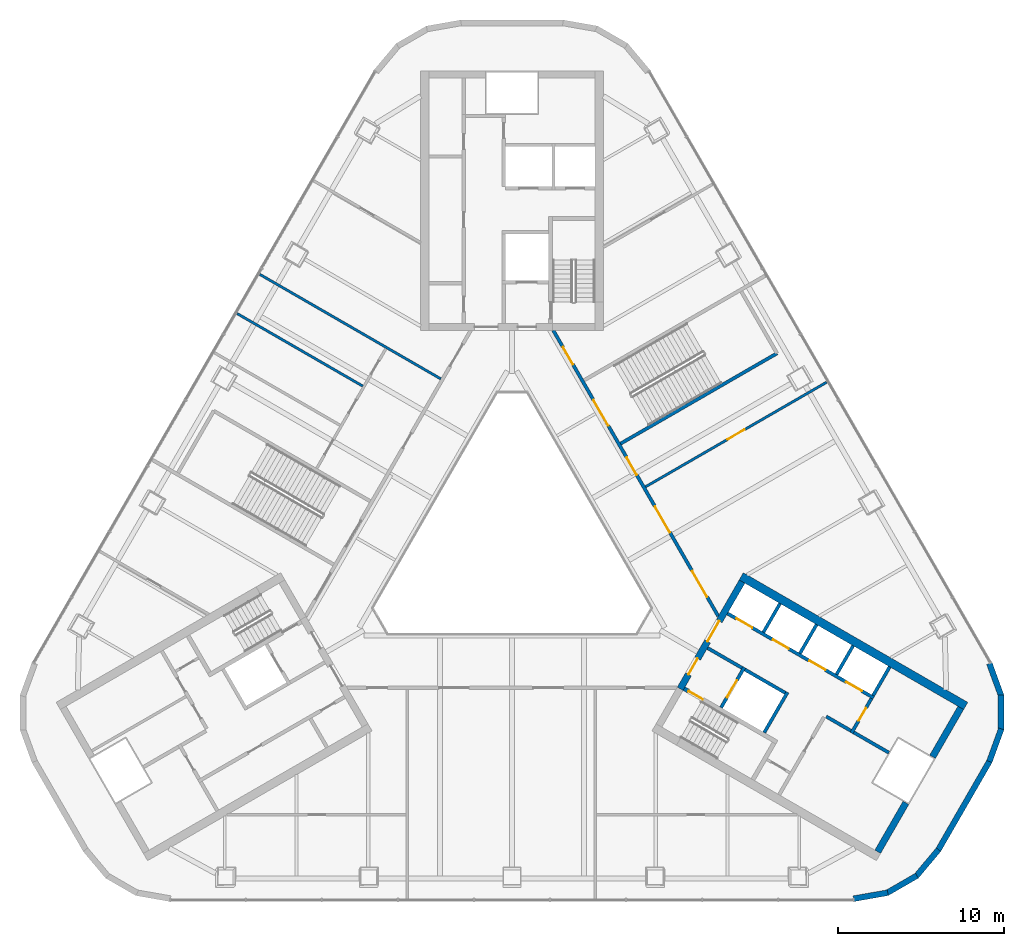
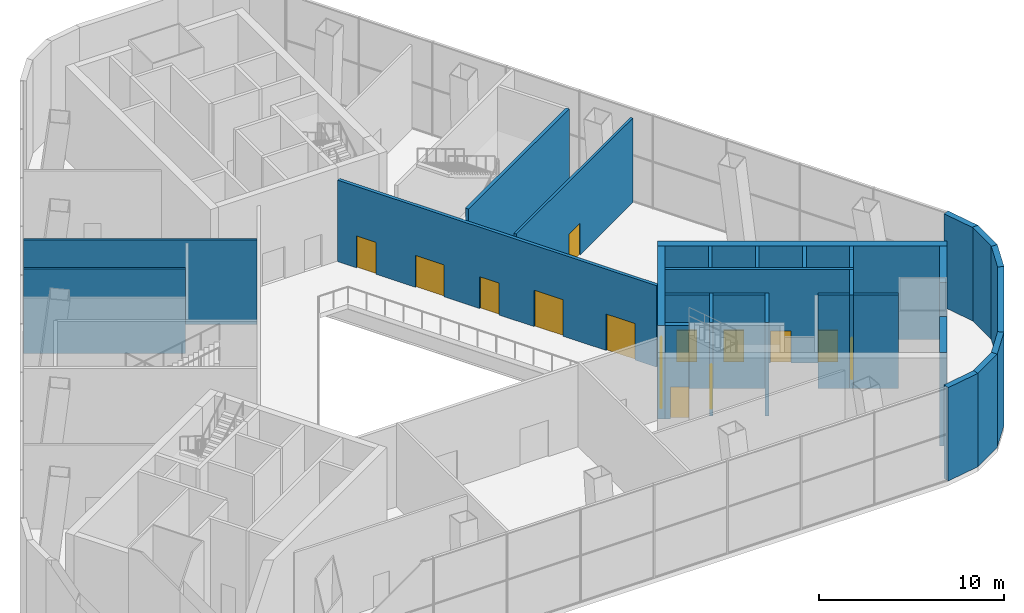
# One storey, part 12 of 17: 29 walls, 15 doors, 15 openings.
"""IFC4 building model written with IfcOpenShell, lengths in metres."""

from ifc_helpers import new_model, si_unit, direction, frame, frame_2d, origin, place, context, subcontext, project, spatial, rectangle, extrude, material, layer, layer_set, type_object, element, fill, save


model = new_model("IFC4")

# Units and contexts
model_context = context("Model", 3, precision=1e-05, world=origin(), true_north=direction((0.0, 1.0)))
body_context = subcontext(model_context, "Body", "Model", "MODEL_VIEW")
ifc_project = project(units=[si_unit("LENGTHUNIT", "METRE"), si_unit("AREAUNIT", "SQUARE_METRE"), si_unit("VOLUMEUNIT", "CUBIC_METRE"), si_unit("PLANEANGLEUNIT", "RADIAN"), si_unit("MASSUNIT", "GRAM", prefix="KILO")], contexts=[model_context])

# Site, building, storey
site_placement = place(None, origin())
site = spatial("IfcSite", under=ifc_project, at=site_placement, CompositionType="ELEMENT")
building_placement = place(site_placement, origin())
building = spatial("IfcBuilding", under=site, at=building_placement, Name="Apuvela Tower Hotel", CompositionType="ELEMENT")
storey_placement = place(building_placement, frame((0.0, 0.0, 9.0)))
storey = spatial("IfcBuildingStorey", under=building, at=storey_placement, Name="L01", CompositionType="ELEMENT", Elevation=9.0)

# Walls
ifc_material_1 = material(Name="Concrete C50/60", Category="concrete")
ifc_layer_1 = layer(ifc_material_1, 0.39990234375)
ifc_layer_set_1 = layer_set([ifc_layer_1], Name="COR-WALL-CORE-400")
wall_type_1 = type_object("IfcWallType", Name="COR-WALL-CORE-400", PredefinedType="SHEAR", material=ifc_layer_set_1)
wall_1_placement = place(storey_placement, frame((25.30859375, -12.764404296875, 0.0), z_axis=(0.0, 0.0, 1.0), x_axis=(0.499977295307, 0.866038511948, 0.0)))
element("IfcWall", 1, at=wall_1_placement, inside=storey, type_object=wall_type_1, Name="Core wall SE", PredefinedType="SHEAR", context=body_context, shape_type="SweptSolid", body=[
    extrude(rectangle(XDim=3.400146484375, YDim=0.39990234375, at=frame_2d((1.7001953125, 0.0))), origin(), (0.0, 0.0, 1.0), 6.14990234375),
])
wall_2_placement = place(storey_placement, frame((22.008544921875, -18.47998046875, 0.0), z_axis=(0.0, 0.0, 1.0), x_axis=(0.500008388397, 0.866020560687, 0.0)))
element("IfcWall", 2, at=wall_2_placement, inside=storey, type_object=wall_type_1, Name="Core wall SE", PredefinedType="SHEAR", context=body_context, shape_type="SweptSolid", body=[
    extrude(rectangle(XDim=3.39990234375, YDim=0.39990234375, at=frame_2d((1.699951171875, 0.0))), origin(), (0.0, 0.0, 1.0), 6.14990234375),
])

# Wall, openings, doors
wall_3_placement = place(storey_placement, frame((10.119873046875, -8.671875, 0.0), z_axis=(0.0, 0.0, 1.0), x_axis=(0.500008956979, 0.866020232408, 0.0)))
wall_3 = element("IfcWall", 3, at=wall_3_placement, inside=storey, type_object=wall_type_1, Name="Core wall SE", PredefinedType="SHEAR", context=body_context, shape_type="SweptSolid", body=[
    extrude(rectangle(XDim=7.449951171875, YDim=0.39990234375, at=frame_2d((3.72509765625, 0.0))), origin(), (0.0, 0.0, 1.0), 6.14990234375),
])
opening_1_placement = place(wall_3_placement, frame((1.0, 0.0, 0.0)))
opening_1 = element("IfcOpeningElement", 4, at=opening_1_placement, cuts=wall_3, Name="Opening E-FD", PredefinedType="OPENING", context=body_context, shape_type="SweptSolid", body=[
    extrude(rectangle(XDim=1.10009765625, YDim=2.10009765625, at=frame_2d((0.550048828125, 1.050048828125))), frame((0.0, 0.2099609375, 0.0), z_axis=(0.0, -1.0, 0.0), x_axis=(1.0, 0.0, 0.0)), (0.0, 0.0, 1.0), 0.419921875),
])
opening_2_placement = place(wall_3_placement, frame((3.300048828125, 0.0, 0.0)))
opening_2 = element("IfcOpeningElement", 5, at=opening_2_placement, cuts=wall_3, Name="Opening E-GD", PredefinedType="OPENING", context=body_context, shape_type="SweptSolid", body=[
    extrude(rectangle(XDim=1.39990234375, YDim=2.10009765625, at=frame_2d((0.699951171875, 1.050048828125))), frame((0.0, 0.2099609375, 0.0), z_axis=(0.0, -1.0, 0.0), x_axis=(1.0, 0.0, 0.0)), (0.0, 0.0, 1.0), 0.419921875),
])
ifc_material_2 = material(Name="Steel fire door, powder coated", Category="steel")
door_type_1 = type_object("IfcDoorType", Name="COR-FD-1100", OperationType="NOTDEFINED", PredefinedType="DOOR", material=ifc_material_2)
door_1_placement = place(opening_1_placement, frame((1.10009765625, 0.0, 0.0), z_axis=(0.0, 0.0, 1.0), x_axis=(-1.0, 0.0, 0.0)))
door_1 = element("IfcDoor", 6, at=door_1_placement, inside=storey, type_object=door_type_1, Name="Firefighting lobby door E-FD", OperationType="SINGLE_SWING_LEFT", OverallHeight=2.10009765625, OverallWidth=1.10009765625, PredefinedType="DOOR", context=body_context, shape_type="SweptSolid", body=[
    extrude(rectangle(XDim=1.10009765625, YDim=2.10009765625, at=frame_2d((0.550048828125, 1.050048828125))), frame((0.0, 0.02490234375, 0.0), z_axis=(0.0, -1.0, 0.0), x_axis=(1.0, 0.0, 0.0)), (0.0, 0.0, 1.0), 0.050048828125),
])
fill(opening_1, door_1)
ifc_material_3 = material(Name="Glazed steel fire door", Category="steel")
door_type_2 = type_object("IfcDoorType", Name="COR-GD-1400", OperationType="DOUBLE_DOOR_SINGLE_SWING", PredefinedType="DOOR", material=ifc_material_3)
door_2_placement = place(opening_2_placement, frame((1.39990234375, 0.0, 0.0), z_axis=(0.0, 0.0, 1.0), x_axis=(-1.0, 0.0, 0.0)))
door_2 = element("IfcDoor", 7, at=door_2_placement, inside=storey, type_object=door_type_2, Name="Lift lobby door E-GD", OperationType="DOUBLE_DOOR_SINGLE_SWING", OverallHeight=2.10009765625, OverallWidth=1.39990234375, PredefinedType="DOOR", context=body_context, shape_type="SweptSolid", body=[
    extrude(rectangle(XDim=1.39990234375, YDim=2.10009765625, at=frame_2d((0.699951171875, 1.050048828125))), frame((0.0, 0.02490234375, 0.0), z_axis=(0.0, -1.0, 0.0), x_axis=(1.0, 0.0, 0.0)), (0.0, 0.0, 1.0), 0.050048828125),
])
fill(opening_2, door_2)

# Walls
ifc_layer_2 = layer(ifc_material_1, 0.5)
ifc_layer_set_2 = layer_set([ifc_layer_2], Name="COR-WALL-CORE-500")
wall_type_2 = type_object("IfcWallType", Name="COR-WALL-CORE-500", PredefinedType="SHEAR", material=ifc_layer_set_2)
wall_4_placement = place(storey_placement, frame((13.796630859375, -1.9033203125, 0.0), z_axis=(0.0, 0.0, 1.0), x_axis=(0.866024264262, -0.500001973705, 0.0)))
element("IfcWall", 8, at=wall_4_placement, inside=storey, type_object=wall_type_2, Name="Core wall SE", PredefinedType="SHEAR", context=body_context, shape_type="SweptSolid", body=[
    extrude(rectangle(XDim=15.60009765625, YDim=0.5, at=frame_2d((7.800048828125, 0.0))), origin(), (0.0, 0.0, 1.0), 6.14990234375),
])
ifc_layer_3 = layer(ifc_material_1, 0.199951171875)
ifc_layer_set_3 = layer_set([ifc_layer_3], Name="COR-WALL-SHAFT-200")
wall_type_3 = type_object("IfcWallType", Name="COR-WALL-SHAFT-200", PredefinedType="SHEAR", material=ifc_layer_set_3)
wall_5_placement = place(storey_placement, frame((15.181396484375, -11.305419921875, 0.0), z_axis=(0.0, 0.0, 1.0), x_axis=(0.49994636267, 0.866056369097, 0.0)))
element("IfcWall", 9, at=wall_5_placement, inside=storey, type_object=wall_type_3, Name="Shaft wall SE", PredefinedType="SHEAR", context=body_context, shape_type="SweptSolid", body=[
    extrude(rectangle(XDim=2.800048828125, YDim=0.199951171875, at=frame_2d((1.39990234375, 0.0))), origin(), (0.0, 0.0, 1.0), 6.14990234375),
])

# Wall, opening, door
wall_6_placement = place(storey_placement, frame((12.583251953125, -9.805419921875, 0.0), z_axis=(0.0, 0.0, 1.0), x_axis=(0.49994636267, 0.866056369097, 0.0)))
wall_6 = element("IfcWall", 10, at=wall_6_placement, inside=storey, type_object=wall_type_3, Name="Shaft wall SE", PredefinedType="SHEAR", context=body_context, shape_type="SweptSolid", body=[
    extrude(rectangle(XDim=2.800048828125, YDim=0.199951171875, at=frame_2d((1.39990234375, 0.0))), origin(), (0.0, 0.0, 1.0), 6.14990234375),
])
opening_3_placement = place(wall_6_placement, frame((0.699951171875, 0.0, 0.0)))
opening_3 = element("IfcOpeningElement", 11, at=opening_3_placement, cuts=wall_6, Name="Opening E-LD-FS3", PredefinedType="OPENING", context=body_context, shape_type="SweptSolid", body=[
    extrude(rectangle(XDim=1.199951171875, YDim=2.10009765625, at=frame_2d((0.60009765625, 1.050048828125))), frame((0.0, 0.10986328125, 0.0), z_axis=(0.0, -1.0, 0.0), x_axis=(1.0, 0.0, 0.0)), (0.0, 0.0, 1.0), 0.219970703125),
])
ifc_material_4 = material(Name="Stainless steel lift landing door", Category="steel")
door_type_3 = type_object("IfcDoorType", Name="COR-LD-1200", OperationType="DOUBLE_DOOR_SLIDING", PredefinedType="DOOR", material=ifc_material_4)
door_3_placement = place(opening_3_placement, origin())
door_3 = element("IfcDoor", 12, at=door_3_placement, inside=storey, type_object=door_type_3, Name="Lift landing door E-LD-FS3", OperationType="DOUBLE_DOOR_SLIDING", OverallHeight=2.10009765625, OverallWidth=1.199951171875, PredefinedType="DOOR", context=body_context, shape_type="SweptSolid", body=[
    extrude(rectangle(XDim=1.199951171875, YDim=2.10009765625, at=frame_2d((0.60009765625, 1.050048828125))), frame((0.0, 0.02490234375, 0.0), z_axis=(0.0, -1.0, 0.0), x_axis=(1.0, 0.0, 0.0)), (0.0, 0.0, 1.0), 0.050048828125),
])
fill(opening_3, door_3)

# Walls
wall_7_placement = place(storey_placement, frame((11.76806640625, -6.217041015625, 0.0), z_axis=(0.0, 0.0, 1.0), x_axis=(0.866050077142, -0.499957262057, 0.0)))
element("IfcWall", 13, at=wall_7_placement, inside=storey, type_object=wall_type_3, Name="Shaft wall SE", PredefinedType="SHEAR", context=body_context, shape_type="SweptSolid", body=[
    extrude(rectangle(XDim=2.400146484375, YDim=0.199951171875, at=frame_2d((1.2001953125, 0.0))), origin(), (0.0, 0.0, 1.0), 6.14990234375),
])
wall_8_placement = place(storey_placement, frame((14.019775390625, -7.51708984375, 0.0), z_axis=(0.0, 0.0, 1.0), x_axis=(0.866034573852, -0.49998411664, 0.0)))
element("IfcWall", 14, at=wall_8_placement, inside=storey, type_object=wall_type_3, Name="Shaft wall SE", PredefinedType="SHEAR", context=body_context, shape_type="SweptSolid", body=[
    extrude(rectangle(XDim=2.7998046875, YDim=0.199951171875, at=frame_2d((1.39990234375, 0.0))), origin(), (0.0, 0.0, 1.0), 6.14990234375),
])

# Wall, openings, doors
wall_9_placement = place(storey_placement, frame((12.968017578125, -4.138427734375, 0.0), z_axis=(0.0, 0.0, 1.0), x_axis=(0.866028328073, -0.49999493495, 0.0)))
wall_9 = element("IfcWall", 15, at=wall_9_placement, inside=storey, type_object=wall_type_3, Name="Shaft wall SE", PredefinedType="SHEAR", context=body_context, shape_type="SweptSolid", body=[
    extrude(rectangle(XDim=10.16015625, YDim=0.199951171875, at=frame_2d((5.080078125, 0.0))), origin(), (0.0, 0.0, 1.0), 6.14990234375),
])
opening_4_placement = place(wall_9_placement, frame((0.6201171875, 0.0, 0.0)))
opening_4 = element("IfcOpeningElement", 16, at=opening_4_placement, cuts=wall_9, Name="Opening E-LD-LR1", PredefinedType="OPENING", context=body_context, shape_type="SweptSolid", body=[
    extrude(rectangle(XDim=1.10009765625, YDim=2.10009765625, at=frame_2d((0.550048828125, 1.050048828125))), frame((0.0, 0.10986328125, 0.0), z_axis=(0.0, -1.0, 0.0), x_axis=(1.0, 0.0, 0.0)), (0.0, 0.0, 1.0), 0.219970703125),
])
opening_5_placement = place(wall_9_placement, frame((3.159912109375, 0.0, 0.0)))
opening_5 = element("IfcOpeningElement", 17, at=opening_5_placement, cuts=wall_9, Name="Opening E-LD-LR2", PredefinedType="OPENING", context=body_context, shape_type="SweptSolid", body=[
    extrude(rectangle(XDim=1.10009765625, YDim=2.10009765625, at=frame_2d((0.550048828125, 1.050048828125))), frame((0.0, 0.10986328125, 0.0), z_axis=(0.0, -1.0, 0.0), x_axis=(1.0, 0.0, 0.0)), (0.0, 0.0, 1.0), 0.219970703125),
])
opening_6_placement = place(wall_9_placement, frame((5.699951171875, 0.0, 0.0)))
opening_6 = element("IfcOpeningElement", 18, at=opening_6_placement, cuts=wall_9, Name="Opening E-LD-LR3", PredefinedType="OPENING", context=body_context, shape_type="SweptSolid", body=[
    extrude(rectangle(XDim=1.10009765625, YDim=2.10009765625, at=frame_2d((0.550048828125, 1.050048828125))), frame((0.0, 0.10986328125, 0.0), z_axis=(0.0, -1.0, 0.0), x_axis=(1.0, 0.0, 0.0)), (0.0, 0.0, 1.0), 0.219970703125),
])
opening_7_placement = place(wall_9_placement, frame((8.239990234375, 0.0, 0.0)))
opening_7 = element("IfcOpeningElement", 19, at=opening_7_placement, cuts=wall_9, Name="Opening E-LD-LR4", PredefinedType="OPENING", context=body_context, shape_type="SweptSolid", body=[
    extrude(rectangle(XDim=1.10009765625, YDim=2.10009765625, at=frame_2d((0.550048828125, 1.050048828125))), frame((0.0, 0.10986328125, 0.0), z_axis=(0.0, -1.0, 0.0), x_axis=(1.0, 0.0, 0.0)), (0.0, 0.0, 1.0), 0.219970703125),
])
door_type_4 = type_object("IfcDoorType", Name="COR-LD-1100", OperationType="DOUBLE_DOOR_SLIDING", PredefinedType="DOOR", material=ifc_material_4)
door_4_placement = place(opening_4_placement, origin())
door_4 = element("IfcDoor", 20, at=door_4_placement, inside=storey, type_object=door_type_4, Name="Lift landing door E-LD-LR1", OperationType="DOUBLE_DOOR_SLIDING", OverallHeight=2.10009765625, OverallWidth=1.10009765625, PredefinedType="DOOR", context=body_context, shape_type="SweptSolid", body=[
    extrude(rectangle(XDim=1.10009765625, YDim=2.10009765625, at=frame_2d((0.550048828125, 1.050048828125))), frame((0.0, 0.02490234375, 0.0), z_axis=(0.0, -1.0, 0.0), x_axis=(1.0, 0.0, 0.0)), (0.0, 0.0, 1.0), 0.050048828125),
])
fill(opening_4, door_4)
door_5_placement = place(opening_5_placement, origin())
door_5 = element("IfcDoor", 21, at=door_5_placement, inside=storey, type_object=door_type_4, Name="Lift landing door E-LD-LR2", OperationType="DOUBLE_DOOR_SLIDING", OverallHeight=2.10009765625, OverallWidth=1.10009765625, PredefinedType="DOOR", context=body_context, shape_type="SweptSolid", body=[
    extrude(rectangle(XDim=1.10009765625, YDim=2.10009765625, at=frame_2d((0.550048828125, 1.050048828125))), frame((0.0, 0.02490234375, 0.0), z_axis=(0.0, -1.0, 0.0), x_axis=(1.0, 0.0, 0.0)), (0.0, 0.0, 1.0), 0.050048828125),
])
fill(opening_5, door_5)
door_6_placement = place(opening_6_placement, origin())
door_6 = element("IfcDoor", 22, at=door_6_placement, inside=storey, type_object=door_type_4, Name="Lift landing door E-LD-LR3", OperationType="DOUBLE_DOOR_SLIDING", OverallHeight=2.10009765625, OverallWidth=1.10009765625, PredefinedType="DOOR", context=body_context, shape_type="SweptSolid", body=[
    extrude(rectangle(XDim=1.10009765625, YDim=2.10009765625, at=frame_2d((0.550048828125, 1.050048828125))), frame((0.0, 0.02490234375, 0.0), z_axis=(0.0, -1.0, 0.0), x_axis=(1.0, 0.0, 0.0)), (0.0, 0.0, 1.0), 0.050048828125),
])
fill(opening_6, door_6)
door_7_placement = place(opening_7_placement, origin())
door_7 = element("IfcDoor", 23, at=door_7_placement, inside=storey, type_object=door_type_4, Name="Lift landing door E-LD-LR4", OperationType="DOUBLE_DOOR_SLIDING", OverallHeight=2.10009765625, OverallWidth=1.10009765625, PredefinedType="DOOR", context=body_context, shape_type="SweptSolid", body=[
    extrude(rectangle(XDim=1.10009765625, YDim=2.10009765625, at=frame_2d((0.550048828125, 1.050048828125))), frame((0.0, 0.02490234375, 0.0), z_axis=(0.0, -1.0, 0.0), x_axis=(1.0, 0.0, 0.0)), (0.0, 0.0, 1.0), 0.050048828125),
])
fill(opening_7, door_7)

# Wall, opening, door
wall_10_placement = place(storey_placement, frame((20.430419921875, -11.33349609375, 0.0), z_axis=(0.0, 0.0, 1.0), x_axis=(0.500001309137, 0.866024647952, 0.0)))
wall_10 = element("IfcWall", 24, at=wall_10_placement, inside=storey, type_object=wall_type_3, Name="Shaft wall SE", PredefinedType="SHEAR", context=body_context, shape_type="SweptSolid", body=[
    extrude(rectangle(XDim=2.39990234375, YDim=0.199951171875, at=frame_2d((1.199951171875, 0.0))), origin(), (0.0, 0.0, 1.0), 6.14990234375),
])
opening_8_placement = place(wall_10_placement, frame((0.85009765625, 0.0, 0.0)))
opening_8 = element("IfcOpeningElement", 25, at=opening_8_placement, cuts=wall_10, Name="Opening E-REP", PredefinedType="OPENING", context=body_context, shape_type="SweptSolid", body=[
    extrude(rectangle(XDim=0.89990234375, YDim=2.10009765625, at=frame_2d((0.449951171875, 1.050048828125))), frame((0.0, 0.10986328125, 0.0), z_axis=(0.0, -1.0, 0.0), x_axis=(1.0, 0.0, 0.0)), (0.0, 0.0, 1.0), 0.219970703125),
])
door_type_5 = type_object("IfcDoorType", Name="COR-DR-900", OperationType="NOTDEFINED", PredefinedType="DOOR", material=ifc_material_2)
door_8_placement = place(opening_8_placement, frame((0.89990234375, 0.0, 0.0), z_axis=(0.0, 0.0, 1.0), x_axis=(-1.0, 0.0, 0.0)))
door_8 = element("IfcDoor", 26, at=door_8_placement, inside=storey, type_object=door_type_5, Name="Store door E-REP", OperationType="SINGLE_SWING_RIGHT", OverallHeight=2.10009765625, OverallWidth=0.89990234375, PredefinedType="DOOR", context=body_context, shape_type="SweptSolid", body=[
    extrude(rectangle(XDim=0.89990234375, YDim=2.10009765625, at=frame_2d((0.449951171875, 1.050048828125))), frame((0.0, 0.02490234375, 0.0), z_axis=(0.0, -1.0, 0.0), x_axis=(1.0, 0.0, 0.0)), (0.0, 0.0, 1.0), 0.050048828125),
])
fill(opening_8, door_8)

# Walls
wall_11_placement = place(storey_placement, frame((18.912841796875, -10.342041015625, 0.0), z_axis=(0.0, 0.0, 1.0), x_axis=(0.866038183914, -0.499977863513, 0.0)))
element("IfcWall", 27, at=wall_11_placement, inside=storey, type_object=wall_type_3, Name="Shaft wall SE", PredefinedType="SHEAR", context=body_context, shape_type="SweptSolid", body=[
    extrude(rectangle(XDim=1.7099609375, YDim=0.199951171875, at=frame_2d((0.85498046875, 0.0))), origin(), (0.0, 0.0, 1.0), 6.14990234375),
])
for number, where, z_axis, x_axis, name in (
    (28, (15.131103515625, -5.27197265625, 0.0), (0.0, 0.0, 1.0), (0.499972520799, 0.866041268327, 0.0), "Shaft wall SE"),
    (29, (17.330810546875, -6.5419921875, 0.0), (0.0, 0.0, 1.0), (0.499972520799, 0.866041268327, 0.0), "Shaft wall SE"),
    (30, (19.530517578125, -7.81201171875, 0.0), (0.0, 0.0, 1.0), (0.499972520799, 0.866041268327, 0.0), "Shaft wall SE"),
    (31, (21.73046875, -9.081787109375, 0.0), (0.0, 0.0, 1.0), (0.50002537861, 0.866010750942, 0.0), "Shaft wall SE"),
):
    element("IfcWall", number, at=place(storey_placement, frame(where, z_axis=z_axis, x_axis=x_axis)), inside=storey, type_object=wall_type_3, Name=name, PredefinedType="SHEAR", context=body_context, shape_type="SweptSolid", body=[
        extrude(rectangle(XDim=2.0, YDim=0.199951171875, at=frame_2d((1.0, 0.0))), origin(), (0.0, 0.0, 1.0), 6.14990234375),
    ])
wall_12_placement = place(storey_placement, frame((20.56689453125, -11.297119140625, 0.0), z_axis=(0.0, 0.0, 1.0), x_axis=(0.866048967903, -0.499959183527, 0.0)))
element("IfcWall", 32, at=wall_12_placement, inside=storey, type_object=wall_type_3, Name="Shaft wall SE", PredefinedType="SHEAR", context=body_context, shape_type="SweptSolid", body=[
    extrude(rectangle(XDim=2.440185546875, YDim=0.199951171875, at=frame_2d((1.22021484375, 0.0))), origin(), (0.0, 0.0, 1.0), 6.14990234375),
])

# Wall, opening, door
ifc_layer_4 = layer(ifc_material_1, 0.25)
ifc_layer_set_4 = layer_set([ifc_layer_4], Name="COR-WALL-STAIR-250")
wall_type_4 = type_object("IfcWallType", Name="COR-WALL-STAIR-250", PredefinedType="SHEAR", material=ifc_layer_set_4)
wall_13_placement = place(storey_placement, frame((10.355712890625, -8.66357421875, 0.0), z_axis=(0.0, 0.0, 1.0), x_axis=(0.866095317631, -0.499878886109, 0.0)))
wall_13 = element("IfcWall", 33, at=wall_13_placement, inside=storey, type_object=wall_type_4, Name="Stair wall SE", PredefinedType="SHEAR", context=body_context, shape_type="SweptSolid", body=[
    extrude(rectangle(XDim=1.305908203125, YDim=0.25, at=frame_2d((0.65283203125, 0.0))), origin(), (0.0, 0.0, 1.0), 6.14990234375),
])
opening_9_placement = place(wall_13_placement, frame((0.300048828125, 0.0, 0.0)))
opening_9 = element("IfcOpeningElement", 34, at=opening_9_placement, cuts=wall_13, Name="Opening E-SD", PredefinedType="OPENING", context=body_context, shape_type="SweptSolid", body=[
    extrude(rectangle(XDim=1.0, YDim=2.10009765625, at=frame_2d((0.5, 1.050048828125))), frame((0.0, 0.135009765625, 0.0), z_axis=(0.0, -1.0, 0.0), x_axis=(1.0, 0.0, 0.0)), (0.0, 0.0, 1.0), 0.27001953125),
])
door_type_6 = type_object("IfcDoorType", Name="COR-SD-1000", OperationType="NOTDEFINED", PredefinedType="DOOR", material=ifc_material_2)
door_9_placement = place(opening_9_placement, frame((1.0, 0.0, 0.0), z_axis=(0.0, 0.0, 1.0), x_axis=(-1.0, 0.0, 0.0)))
door_9 = element("IfcDoor", 35, at=door_9_placement, inside=storey, type_object=door_type_6, Name="Stair door E-SD", OperationType="SINGLE_SWING_LEFT", OverallHeight=2.10009765625, OverallWidth=1.0, PredefinedType="DOOR", context=body_context, shape_type="SweptSolid", body=[
    extrude(rectangle(XDim=1.0, YDim=2.10009765625, at=frame_2d((0.5, 1.050048828125))), frame((0.0, 0.02490234375, 0.0), z_axis=(0.0, -1.0, 0.0), x_axis=(1.0, 0.0, 0.0)), (0.0, 0.0, 1.0), 0.050048828125),
])
fill(opening_9, door_9)

# Walls
ifc_material_5 = material(Name="Concrete C40/50, dark pigmented precast panel", Category="concrete")
ifc_layer_5 = layer(ifc_material_5, 0.35009765625)
ifc_layer_set_5 = layer_set([ifc_layer_5], Name="ENV-WALL-350")
wall_type_5 = type_object("IfcWallType", Name="ENV-WALL-350", PredefinedType="SOLIDWALL", material=ifc_layer_set_5)
wall_14_placement = place(storey_placement, frame((20.55712890625, -21.305908203125, 0.0), z_axis=(0.0, 0.0, 1.0), x_axis=(0.984816471064, 0.173598727877, 0.0)))
element("IfcWall", 36, at=wall_14_placement, inside=storey, type_object=wall_type_5, Name="External wall L01-16", PredefinedType="SOLIDWALL", context=body_context, shape_type="SweptSolid", body=[
    extrude(rectangle(XDim=2.08984375, YDim=0.35009765625, at=frame_2d((1.044921875, 0.0))), origin(), (0.0, 0.0, 1.0), 6.14990234375),
])
wall_15_placement = place(storey_placement, frame((22.55810546875, -20.9638671875, 0.0), z_axis=(0.0, 0.0, 1.0), x_axis=(0.866049423672, 0.499958394027, 0.0)))
element("IfcWall", 37, at=wall_15_placement, inside=storey, type_object=wall_type_5, Name="External wall L01-17", PredefinedType="SOLIDWALL", context=body_context, shape_type="SweptSolid", body=[
    extrude(rectangle(XDim=2.090087890625, YDim=0.35009765625, at=frame_2d((1.044921875, 0.0))), origin(), (0.0, 0.0, 1.0), 6.14990234375),
])
wall_16_placement = place(storey_placement, frame((24.32177734375, -19.9580078125, 0.0), z_axis=(0.0, 0.0, 1.0), x_axis=(0.642731712352, 0.766091343076, 0.0)))
element("IfcWall", 38, at=wall_16_placement, inside=storey, type_object=wall_type_5, Name="External wall L01-18", PredefinedType="SOLIDWALL", context=body_context, shape_type="SweptSolid", body=[
    extrude(rectangle(XDim=2.08984375, YDim=0.35009765625, at=frame_2d((1.044921875, 0.0))), origin(), (0.0, 0.0, 1.0), 6.14990234375),
])
wall_17_placement = place(storey_placement, frame((25.647705078125, -18.3818359375, 0.0), z_axis=(0.0, 0.0, 1.0), x_axis=(0.499981900942, 0.866035853028, 0.0)))
element("IfcWall", 39, at=wall_17_placement, inside=storey, type_object=wall_type_5, Name="External wall L01-19", PredefinedType="SOLIDWALL", context=body_context, shape_type="SweptSolid", body=[
    extrude(rectangle(XDim=6.190673828125, YDim=0.35009765625, at=frame_2d((3.09521484375, 0.0))), origin(), (0.0, 0.0, 1.0), 6.14990234375),
])
for number, where, z_axis, x_axis, name in (
    (40, (28.72998046875, -13.048095703125, 0.0), (0.0, 0.0, 1.0), (0.342043191253, 0.939684231706, 0.0), "External wall L01-20"),
    (41, (29.434326171875, -11.14404296875, 0.0), (0.0, 0.0, 1.0), (0.0, 1.0, 0.0), "External wall L01-21"),
):
    element("IfcWall", number, at=place(storey_placement, frame(where, z_axis=z_axis, x_axis=x_axis)), inside=storey, type_object=wall_type_5, Name=name, PredefinedType="SOLIDWALL", context=body_context, shape_type="SweptSolid", body=[
        extrude(rectangle(XDim=2.08984375, YDim=0.35009765625, at=frame_2d((1.044921875, 0.0))), origin(), (0.0, 0.0, 1.0), 6.14990234375),
    ])
wall_18_placement = place(storey_placement, frame((29.44482421875, -9.114013671875, 0.0), z_axis=(0.0, 0.0, 1.0), x_axis=(-0.342005648315, 0.939697896412, 0.0)))
element("IfcWall", 42, at=wall_18_placement, inside=storey, type_object=wall_type_5, Name="External wall L01-22", PredefinedType="SOLIDWALL", context=body_context, shape_type="SweptSolid", body=[
    extrude(rectangle(XDim=2.090087890625, YDim=0.35009765625, at=frame_2d((1.044921875, 0.0))), origin(), (0.0, 0.0, 1.0), 6.14990234375),
])

# Wall, openings, doors
ifc_material_6 = material(Name="Fire-rated gypsum board partition on steel stud", Category="steel")
ifc_layer_6 = layer(ifc_material_6, 0.199951171875)
ifc_layer_set_6 = layer_set([ifc_layer_6], Name="SPC-WALL-CORRIDOR")
wall_type_6 = type_object("IfcWallType", Name="SPC-WALL-CORRIDOR", PredefinedType="PARTITIONING", material=ifc_layer_set_6)
wall_19_placement = place(storey_placement, frame((12.4130859375, -4.300048828125, 0.0), z_axis=(0.0, 0.0, 1.0), x_axis=(-0.50000478328, 0.866022642139, 0.0)))
wall_19 = element("IfcWall", 43, at=wall_19_placement, inside=storey, type_object=wall_type_6, Name="Wall L01-NE-CW", PredefinedType="PARTITIONING", context=body_context, shape_type="SweptSolid", body=[
    extrude(rectangle(XDim=19.861083984375, YDim=0.199951171875, at=frame_2d((9.9306640625, 0.0))), origin(), (0.0, 0.0, 1.0), 5.360107421875),
])
opening_10_placement = place(wall_19_placement, frame((1.341796875, 0.0, 0.0)))
opening_10 = element("IfcOpeningElement", 44, at=opening_10_placement, cuts=wall_19, Name="Opening L01-S02", PredefinedType="OPENING", context=body_context, shape_type="SweptSolid", body=[
    extrude(rectangle(XDim=1.800048828125, YDim=2.39990234375, at=frame_2d((0.89990234375, 1.199951171875))), frame((0.0, 0.10986328125, 0.0), z_axis=(0.0, -1.0, 0.0), x_axis=(1.0, 0.0, 0.0)), (0.0, 0.0, 1.0), 0.219970703125),
])
opening_11_placement = place(wall_19_placement, frame((5.8251953125, 0.0, 0.0)))
opening_11 = element("IfcOpeningElement", 45, at=opening_11_placement, cuts=wall_19, Name="Opening L01-S03", PredefinedType="OPENING", context=body_context, shape_type="SweptSolid", body=[
    extrude(rectangle(XDim=1.800048828125, YDim=2.39990234375, at=frame_2d((0.89990234375, 1.199951171875))), frame((0.0, 0.10986328125, 0.0), z_axis=(0.0, -1.0, 0.0), x_axis=(1.0, 0.0, 0.0)), (0.0, 0.0, 1.0), 0.219970703125),
])
opening_12_placement = place(wall_19_placement, frame((9.818115234375, 0.0, 0.0)))
opening_12 = element("IfcOpeningElement", 46, at=opening_12_placement, cuts=wall_19, Name="Opening L01-S04", PredefinedType="OPENING", context=body_context, shape_type="SweptSolid", body=[
    extrude(rectangle(XDim=1.199951171875, YDim=2.10009765625, at=frame_2d((0.60009765625, 1.050048828125))), frame((0.0, 0.10986328125, 0.0), z_axis=(0.0, -1.0, 0.0), x_axis=(1.0, 0.0, 0.0)), (0.0, 0.0, 1.0), 0.219970703125),
])
opening_13_placement = place(wall_19_placement, frame((17.489990234375, 0.0, 0.0)))
opening_13 = element("IfcOpeningElement", 47, at=opening_13_placement, cuts=wall_19, Name="Opening L01-S05", PredefinedType="OPENING", context=body_context, shape_type="SweptSolid", body=[
    extrude(rectangle(XDim=1.199951171875, YDim=2.10009765625, at=frame_2d((0.60009765625, 1.050048828125))), frame((0.0, 0.10986328125, 0.0), z_axis=(0.0, -1.0, 0.0), x_axis=(1.0, 0.0, 0.0)), (0.0, 0.0, 1.0), 0.219970703125),
])
opening_14_placement = place(wall_19_placement, frame((13.23046875, 0.0, 0.0)))
opening_14 = element("IfcOpeningElement", 48, at=opening_14_placement, cuts=wall_19, Name="Opening L01-S07", PredefinedType="OPENING", context=body_context, shape_type="SweptSolid", body=[
    extrude(rectangle(XDim=1.800048828125, YDim=2.10009765625, at=frame_2d((0.89990234375, 1.050048828125))), frame((0.0, 0.10986328125, 0.0), z_axis=(0.0, -1.0, 0.0), x_axis=(1.0, 0.0, 0.0)), (0.0, 0.0, 1.0), 0.219970703125),
])
ifc_material_7 = material(Name="Fire-rated hardwood veneer door leaf", Category="wood")
door_type_7 = type_object("IfcDoorType", Name="SPC-DOOR-1200-FD", OperationType="NOTDEFINED", PredefinedType="DOOR", material=ifc_material_7)
door_10_placement = place(opening_12_placement, origin())
door_10 = element("IfcDoor", 49, at=door_10_placement, inside=storey, type_object=door_type_7, Name="L01-S04", OperationType="SINGLE_SWING_LEFT", OverallHeight=2.10009765625, OverallWidth=1.199951171875, PredefinedType="DOOR", context=body_context, shape_type="SweptSolid", body=[
    extrude(rectangle(XDim=1.199951171875, YDim=2.10009765625, at=frame_2d((0.60009765625, 1.050048828125))), frame((0.0, 0.02490234375, 0.0), z_axis=(0.0, -1.0, 0.0), x_axis=(1.0, 0.0, 0.0)), (0.0, 0.0, 1.0), 0.050048828125),
])
fill(opening_12, door_10)
door_11_placement = place(opening_13_placement, origin())
door_11 = element("IfcDoor", 50, at=door_11_placement, inside=storey, type_object=door_type_7, Name="L01-S05", OperationType="SINGLE_SWING_LEFT", OverallHeight=2.10009765625, OverallWidth=1.199951171875, PredefinedType="DOOR", context=body_context, shape_type="SweptSolid", body=[
    extrude(rectangle(XDim=1.199951171875, YDim=2.10009765625, at=frame_2d((0.60009765625, 1.050048828125))), frame((0.0, 0.02490234375, 0.0), z_axis=(0.0, -1.0, 0.0), x_axis=(1.0, 0.0, 0.0)), (0.0, 0.0, 1.0), 0.050048828125),
])
fill(opening_13, door_11)
door_type_8 = type_object("IfcDoorType", Name="SPC-DOOR-1800-FD", OperationType="NOTDEFINED", PredefinedType="DOOR", material=ifc_material_7)
door_12_placement = place(opening_10_placement, origin())
door_12 = element("IfcDoor", 51, at=door_12_placement, inside=storey, type_object=door_type_8, Name="L01-S02", OperationType="DOUBLE_DOOR_SINGLE_SWING", OverallHeight=2.39990234375, OverallWidth=1.800048828125, PredefinedType="DOOR", context=body_context, shape_type="SweptSolid", body=[
    extrude(rectangle(XDim=1.800048828125, YDim=2.39990234375, at=frame_2d((0.89990234375, 1.199951171875))), frame((0.0, 0.02490234375, 0.0), z_axis=(0.0, -1.0, 0.0), x_axis=(1.0, 0.0, 0.0)), (0.0, 0.0, 1.0), 0.050048828125),
])
fill(opening_10, door_12)
door_13_placement = place(opening_11_placement, origin())
door_13 = element("IfcDoor", 52, at=door_13_placement, inside=storey, type_object=door_type_8, Name="L01-S03", OperationType="DOUBLE_DOOR_SINGLE_SWING", OverallHeight=2.39990234375, OverallWidth=1.800048828125, PredefinedType="DOOR", context=body_context, shape_type="SweptSolid", body=[
    extrude(rectangle(XDim=1.800048828125, YDim=2.39990234375, at=frame_2d((0.89990234375, 1.199951171875))), frame((0.0, 0.02490234375, 0.0), z_axis=(0.0, -1.0, 0.0), x_axis=(1.0, 0.0, 0.0)), (0.0, 0.0, 1.0), 0.050048828125),
])
fill(opening_11, door_13)
ifc_material_8 = material(Name="Steel fire door leaf", Category="steel")
door_type_9 = type_object("IfcDoorType", Name="SPC-DOOR-1800-STAIR", OperationType="NOTDEFINED", PredefinedType="DOOR", material=ifc_material_8)
door_14_placement = place(opening_14_placement, frame((1.800048828125, 0.0, 0.0), z_axis=(0.0, 0.0, 1.0), x_axis=(-1.0, 0.0, 0.0)))
door_14 = element("IfcDoor", 53, at=door_14_placement, inside=storey, type_object=door_type_9, Name="L01-S07", OperationType="DOUBLE_DOOR_SINGLE_SWING", OverallHeight=2.10009765625, OverallWidth=1.800048828125, PredefinedType="DOOR", context=body_context, shape_type="SweptSolid", body=[
    extrude(rectangle(XDim=1.800048828125, YDim=2.10009765625, at=frame_2d((0.89990234375, 1.050048828125))), frame((0.0, 0.02490234375, 0.0), z_axis=(0.0, -1.0, 0.0), x_axis=(1.0, 0.0, 0.0)), (0.0, 0.0, 1.0), 0.050048828125),
])
fill(opening_14, door_14)

# Wall, opening, door
ifc_material_9 = material(Name="Gypsum board partition on steel stud", Category="steel")
ifc_layer_7 = layer(ifc_material_9, 0.14990234375)
ifc_layer_set_7 = layer_set([ifc_layer_7], Name="SPC-WALL-PARTITION")
wall_type_7 = type_object("IfcWallType", Name="SPC-WALL-PARTITION", PredefinedType="PARTITIONING", material=ifc_layer_set_7)
wall_20_placement = place(storey_placement, frame((18.927490234375, 9.773193359375, 0.0), z_axis=(0.0, 0.0, 1.0), x_axis=(-0.866018800292, -0.500011437409, 0.0)))
wall_20 = element("IfcWall", 54, at=wall_20_placement, inside=storey, type_object=wall_type_7, Name="Wall L01-NE-P02", PredefinedType="PARTITIONING", context=body_context, shape_type="SweptSolid", body=[
    extrude(rectangle(XDim=12.578369140625, YDim=0.14990234375, at=frame_2d((6.2890625, 0.0))), origin(), (0.0, 0.0, 1.0), 5.550048828125),
])
opening_15_placement = place(wall_20_placement, frame((5.689208984375, 0.0, 0.0)))
opening_15 = element("IfcOpeningElement", 55, at=opening_15_placement, cuts=wall_20, Name="Opening L01-S01", PredefinedType="OPENING", context=body_context, shape_type="SweptSolid", body=[
    extrude(rectangle(XDim=1.199951171875, YDim=2.10009765625, at=frame_2d((0.60009765625, 1.050048828125))), frame((0.0, 0.0849609375, 0.0), z_axis=(0.0, -1.0, 0.0), x_axis=(1.0, 0.0, 0.0)), (0.0, 0.0, 1.0), 0.169921875),
])
door_15_placement = place(opening_15_placement, frame((1.199951171875, 0.0, 0.0), z_axis=(0.0, 0.0, 1.0), x_axis=(-1.0, 0.0, 0.0)))
door_15 = element("IfcDoor", 56, at=door_15_placement, inside=storey, type_object=door_type_7, Name="L01-S01", OperationType="SINGLE_SWING_RIGHT", OverallHeight=2.10009765625, OverallWidth=1.199951171875, PredefinedType="DOOR", context=body_context, shape_type="SweptSolid", body=[
    extrude(rectangle(XDim=1.199951171875, YDim=2.10009765625, at=frame_2d((0.60009765625, 1.050048828125))), frame((0.0, 0.02490234375, 0.0), z_axis=(0.0, -1.0, 0.0), x_axis=(1.0, 0.0, 0.0)), (0.0, 0.0, 1.0), 0.050048828125),
])
fill(opening_15, door_15)

# Walls
wall_21_placement = place(storey_placement, frame((-15.177490234375, 16.268310546875, 0.0), z_axis=(0.0, 0.0, 1.0), x_axis=(0.866027204995, -0.499996880198, 0.0)))
element("IfcWall", 57, at=wall_21_placement, inside=storey, type_object=wall_type_7, Name="Wall L01-NW-P04", PredefinedType="PARTITIONING", context=body_context, shape_type="SweptSolid", body=[
    extrude(rectangle(XDim=12.578125, YDim=0.14990234375, at=frame_2d((6.2890625, 0.0))), origin(), (0.0, 0.0, 1.0), 5.550048828125),
])
wall_22_placement = place(storey_placement, frame((-16.5400390625, 13.908447265625, 0.0), z_axis=(0.0, 0.0, 1.0), x_axis=(0.866023051915, -0.500004073536, 0.0)))
element("IfcWall", 58, at=wall_22_placement, inside=storey, type_object=wall_type_7, Name="Wall L01-NW-P05", PredefinedType="PARTITIONING", context=body_context, shape_type="SweptSolid", body=[
    extrude(rectangle(XDim=8.72998046875, YDim=0.14990234375, at=frame_2d((4.364990234375, 0.0))), origin(), (0.0, 0.0, 1.0), 5.550048828125),
])
ifc_material_10 = material(Name="Concrete C40/50", Category="concrete")
ifc_layer_8 = layer(ifc_material_10, 0.199951171875)
ifc_layer_set_8 = layer_set([ifc_layer_8], Name="SPC-WALL-STAIR")
wall_type_8 = type_object("IfcWallType", Name="SPC-WALL-STAIR", PredefinedType="SOLIDWALL", material=ifc_layer_set_8)
wall_23_placement = place(storey_placement, frame((15.947998046875, 11.51708984375, 0.0), z_axis=(0.0, 0.0, 1.0), x_axis=(-0.86602026553, -0.500008899612, 0.0)))
element("IfcWall", 59, at=wall_23_placement, inside=storey, type_object=wall_type_8, Name="Wall L01-NE-P03", PredefinedType="SOLIDWALL", context=body_context, shape_type="SweptSolid", body=[
    extrude(rectangle(XDim=10.869873046875, YDim=0.199951171875, at=frame_2d((5.43505859375, 0.0))), origin(), (0.0, 0.0, 1.0), 6.14990234375),
])

save(model, "model.ifc")
